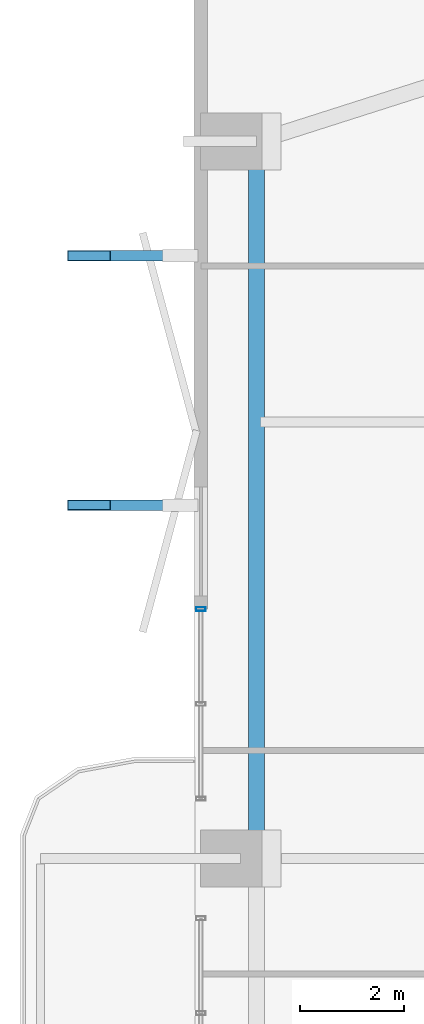
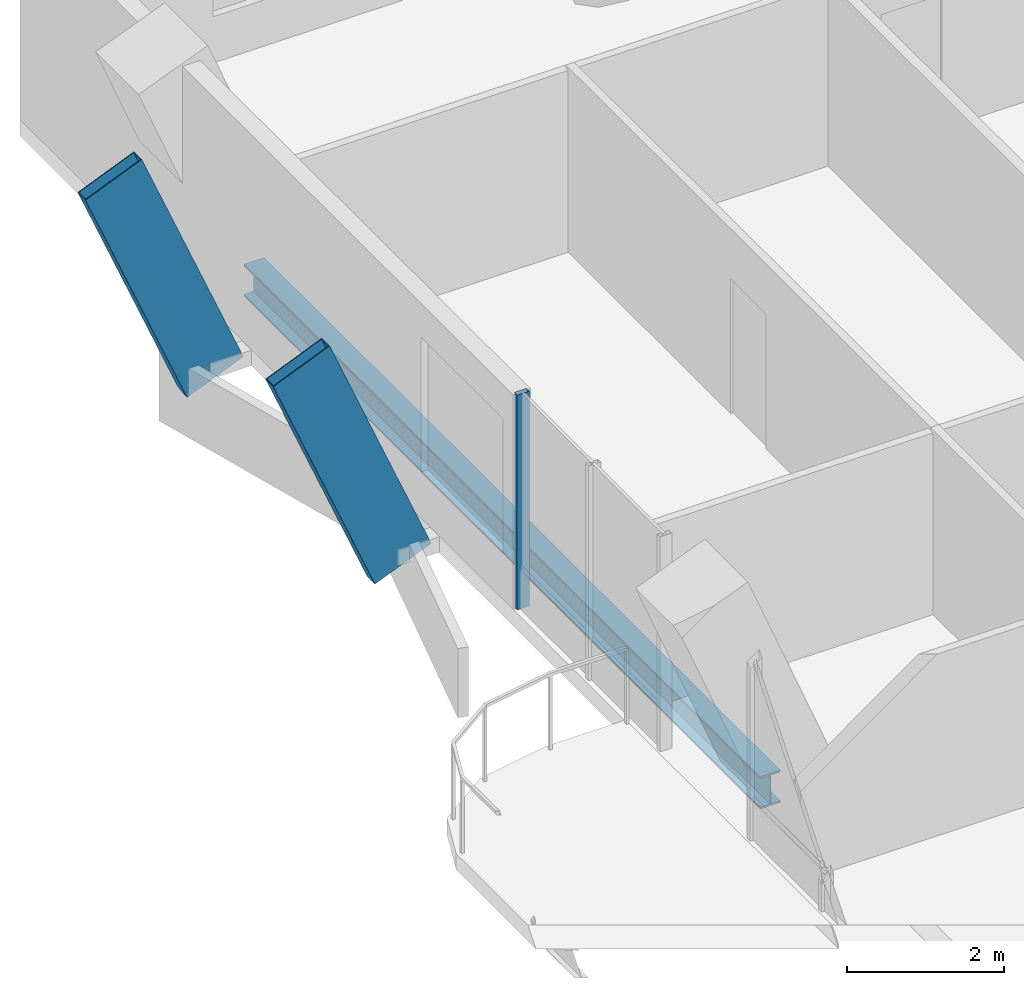
# One storey, part 11 of 24: 3 members, 1 beam, 1 element without a shape of its own.
"""IFC4 building model written with IfcOpenShell, lengths in metres."""

from ifc_helpers import new_model, si_unit, direction, frame, origin, origin_2d, place, context, subcontext, project, spatial, hollow_rectangle, i_section, extrude, material, layer, layer_set, material_profile, profile_set, type_object, element, aggregate, save


model = new_model("IFC4")

# Units and contexts
model_context = context("Model", 3, precision=1e-05, world=origin(), true_north=direction((0.0, 1.0)))
body_context = subcontext(model_context, "Body", "Model", "MODEL_VIEW")
ifc_project = project(units=[si_unit("LENGTHUNIT", "METRE"), si_unit("AREAUNIT", "SQUARE_METRE"), si_unit("VOLUMEUNIT", "CUBIC_METRE"), si_unit("PLANEANGLEUNIT", "RADIAN"), si_unit("MASSUNIT", "GRAM", prefix="KILO")], contexts=[model_context])

# Site, building, storey
site_placement = place(None, origin())
site = spatial("IfcSite", under=ifc_project, at=site_placement, CompositionType="ELEMENT")
building_placement = place(site_placement, origin())
building = spatial("IfcBuilding", under=site, at=building_placement, Name="Belovzor Exchange Tower", CompositionType="ELEMENT")
storey_placement = place(building_placement, frame((0.0, 0.0, 190.800048828125)))
storey = spatial("IfcBuildingStorey", under=building, at=storey_placement, Name="L47", CompositionType="ELEMENT", Elevation=190.800048828125)

# Members
ifc_material_1 = material(Name="Extruded Architectural Terracotta on Steel S355 Carrier", Category="masonry")
ifc_material_profile_1 = material_profile(ifc_material_1, hollow_rectangle(XDim=0.199951171875, YDim=0.89990234375, WallThickness=0.011962890625, at=origin_2d()))
ifc_profile_set_1 = profile_set([ifc_material_profile_1], Name="Extruded Architectural Terracotta on Steel S355 Carrier")
member_type_1 = type_object("IfcMemberType", Name="Sweeping Terracotta Baguette Fin Assembly 1250", PredefinedType="USERDEFINED", material=ifc_profile_set_1)
for number, where, z_axis, x_axis, name in (
    (1, (3.97509765625, 35.60009765625, -0.255126953125), (-0.384162484071, 0.0, 0.923265501268), (0.0, -1.0, 0.0), "FIN-TC125 Terracotta Facade Fin L47 W3"),
    (2, (3.97509765625, 40.39990234375, -0.255126953125), (-0.384162484071, 0.0, 0.923265501268), (0.0, -1.0, 0.0), "FIN-TC125 Terracotta Facade Fin L47 W4"),
):
    element("IfcMember", number, at=place(storey_placement, frame(where, z_axis=z_axis, x_axis=x_axis)), inside=storey, type_object=member_type_1, Name=name, ObjectType="FIN", PredefinedType="USERDEFINED", context=body_context, shape_type="SweptSolid", body=[
        extrude(hollow_rectangle(XDim=0.199951171875, YDim=0.89990234375, WallThickness=0.011962890625, at=origin_2d()), origin(), (0.0, 0.0, 1.0), 3.904541015625),
    ])

# Curtain wall, member
ifc_material_2 = material(Name="Anodised Aluminium Framing", Category="aluminium")
ifc_layer = layer(ifc_material_2, 0.179931640625)
ifc_layer_set = layer_set([ifc_layer], Name="Anodised Aluminium Framing")
curtain_wall_type = type_object("IfcCurtainWallType", Name="Recessed Loggia Low-Iron Triple-Glazed Curtain Wall", PredefinedType="NOTDEFINED", material=ifc_layer_set)
curtain_wall_placement = place(storey_placement, origin())
curtain_wall = element("IfcCurtainWall", 3, at=curtain_wall_placement, inside=storey, type_object=curtain_wall_type, Name="CW3 Recessed Loggia Low-Iron Triple-Glazed Curtain Wall L47", PredefinedType="NOTDEFINED")
ifc_material_3 = material(Name="Steel S355", Category="steel")
ifc_material_profile_2 = material_profile(ifc_material_3, hollow_rectangle(XDim=0.074951171875, YDim=0.179931640625, WallThickness=0.0048828125, at=origin_2d()))
ifc_profile_set_2 = profile_set([ifc_material_profile_2], Name="Steel S355")
member_type_2 = type_object("IfcMemberType", Name="Thermally Broken Curtain Wall Mullion 180x75", PredefinedType="MULLION", material=ifc_profile_set_2)
member_placement = place(storey_placement, frame((4.6298828125, 33.60009765625, 0.0), z_axis=(0.0, 0.0, 1.0), x_axis=(0.0, 1.0, 0.0)))
member = element("IfcMember", 4, at=member_placement, type_object=member_type_2, Name="CW-M180 Curtain Wall Mullion 3", PredefinedType="MULLION", context=body_context, shape_type="SweptSolid", body=[
    extrude(hollow_rectangle(XDim=0.074951171875, YDim=0.179931640625, WallThickness=0.0048828125, at=origin_2d()), origin(), (0.0, 0.0, 1.0), 3.349853515625),
])
aggregate(curtain_wall, [member])

# Beam
ifc_material_4 = material(Name="Steel S355", Category="steel")
ifc_material_profile_3 = material_profile(ifc_material_4, i_section(OverallWidth=0.300048828125, OverallDepth=0.5, WebThickness=0.014404296875, FlangeThickness=0.028076171875, at=origin_2d()))
ifc_profile_set_3 = profile_set([ifc_material_profile_3], Name="Steel S355")
beam_type = type_object("IfcBeamType", Name="Zone 3 Waist Primary Girder HEB 500", PredefinedType="BEAM", material=ifc_profile_set_3)
beam_placement = place(storey_placement, frame((5.699951171875, 42.297119140625, -0.505126953125), z_axis=(0.0, -1.0, 0.0), x_axis=(1.0, 0.0, 0.0)))
element("IfcBeam", 5, at=beam_placement, inside=storey, type_object=beam_type, Name="FG-Z3 Zone 3 Waist Primary Girder HEB 500", PredefinedType="BEAM", context=body_context, shape_type="SweptSolid", body=[
    extrude(i_section(OverallWidth=0.300048828125, OverallDepth=0.5, WebThickness=0.014404296875, FlangeThickness=0.028076171875, at=origin_2d()), origin(), (0.0, 0.0, 1.0), 13.195068359375),
])

save(model, "model.ifc")
